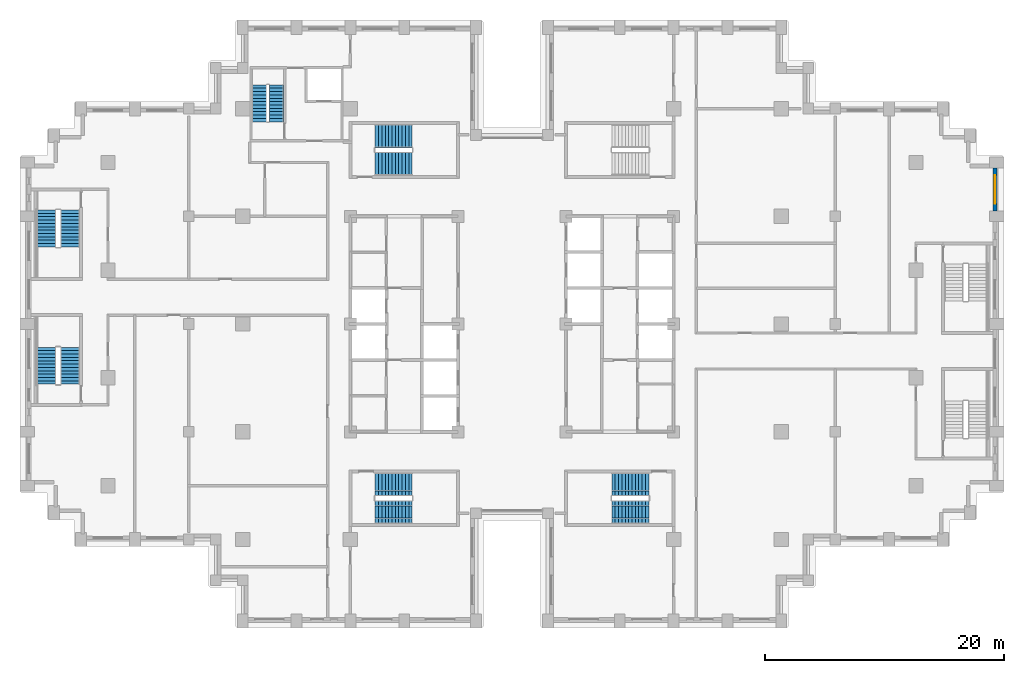
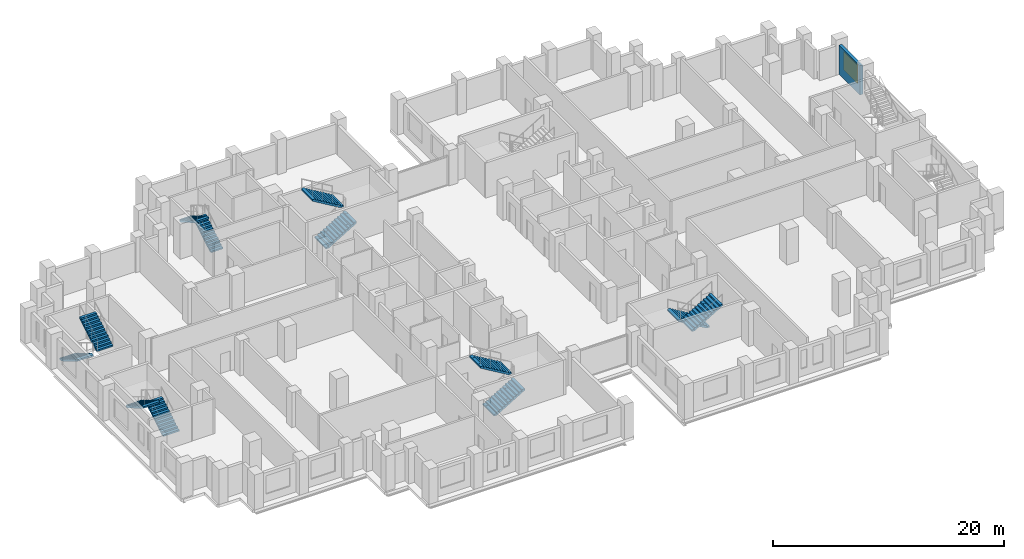
# One storey, part 12 of 15: 12 stair flights, 1 wall, 1 window, 1 opening, 6 elements without a shape of their own.
"""IFC4 building model written with IfcOpenShell, lengths in metres."""

import ifcopenshell
import ifcopenshell.guid

model = None  # the IFC model being written
_history = None  # IfcOwnerHistory: only IFC2X3 demands one
_inside = {}  # id of a spatial element -> (the spatial element, [elements in it])
_under = {}  # id of a project, library or spatial element -> (it, [spatial elements below it])
_declared = {}  # id of a project -> (the project, [libraries it declares])
_typed = {}  # id of a type object -> (the type object, [elements of that type])
_made_of = {}  # id of a material, layer set ... -> (it, [elements and type objects made of it])


def new_model(schema):
    """Start an empty IFC model of exactly this schema.

    Asked for "IFC4X3", IfcOpenShell would pick the latest addendum, in which some entities
    have other attributes; the version numbers below select the first issue.
    IFC2X3 requires an IfcOwnerHistory on every rooted entity: one is made here for all.
    """
    global model, _history
    if schema == "IFC4X3":
        model = ifcopenshell.file(schema_version=(4, 3, 0, 0))
    else:
        model = ifcopenshell.file(schema=schema)
    _inside.clear()
    _under.clear()
    _declared.clear()
    _typed.clear()
    _made_of.clear()
    _history = None
    if model.schema == "IFC2X3":
        org = make("IfcOrganization", Name="unknown")
        user = make(
            "IfcPersonAndOrganization",
            ThePerson=make("IfcPerson", FamilyName="unknown"),
            TheOrganization=org,
        )
        app = make(
            "IfcApplication",
            ApplicationDeveloper=org,
            Version="unknown",
            ApplicationFullName="unknown",
            ApplicationIdentifier="unknown",
        )
        _history = make(
            "IfcOwnerHistory",
            OwningUser=user,
            OwningApplication=app,
            ChangeAction="ADDED",
            CreationDate=0,
        )
    return model


def make(cls, **values):
    """One entity of the class cls with the attributes given. An attribute that is None is left unset."""
    return model.create_entity(
        cls, **{name: value for name, value in values.items() if value is not None}
    )


def rooted(cls, **values):
    """An entity with a GlobalId (a new one), such as an element, a storey or a relation."""
    return make(cls, GlobalId=ifcopenshell.guid.new(), OwnerHistory=_history, **values)


def si_unit(unit_type, name, prefix=None):
    """IfcSIUnit, for example si_unit("LENGTHUNIT", "METRE", prefix="MILLI")."""
    return make("IfcSIUnit", UnitType=unit_type, Prefix=prefix, Name=name)


def assignment(units):
    """IfcUnitAssignment: the units of a project."""
    return None if units is None else make("IfcUnitAssignment", Units=units)


def point(xyz):
    """IfcCartesianPoint."""
    return None if xyz is None else make("IfcCartesianPoint", Coordinates=xyz)


def direction(xyz):
    """IfcDirection."""
    return None if xyz is None else make("IfcDirection", DirectionRatios=xyz)


def frame(location, z_axis=None, x_axis=None):
    """IfcAxis2Placement3D, a coordinate frame: its origin and axes. An axis left out is left unset."""
    return make(
        "IfcAxis2Placement3D",
        Location=point(location),
        Axis=direction(z_axis),
        RefDirection=direction(x_axis),
    )


def frame_2d(location, x_axis=None):
    """IfcAxis2Placement2D, a coordinate frame in the plane: its origin and x axis."""
    return make(
        "IfcAxis2Placement2D", Location=point(location), RefDirection=direction(x_axis)
    )


def origin():
    """The frame at (0, 0, 0) with its axes left unset."""
    return frame((0.0, 0.0, 0.0))


def place(relative_to, where):
    """IfcLocalPlacement: puts the frame where relative to a parent placement (None: the world)."""
    return make(
        "IfcLocalPlacement", PlacementRelTo=relative_to, RelativePlacement=where
    )


def context(
    kind, dimensions, precision=None, world=None, true_north=None, identifier=None
):
    """IfcGeometricRepresentationContext, for example the 3D "Model" context."""
    return make(
        "IfcGeometricRepresentationContext",
        ContextIdentifier=identifier,
        ContextType=kind,
        CoordinateSpaceDimension=dimensions,
        Precision=precision,
        WorldCoordinateSystem=world,
        TrueNorth=true_north,
    )


def subcontext(parent, identifier, kind, view, scale=None):
    """IfcGeometricRepresentationSubContext, for example "Body" below "Model"."""
    return make(
        "IfcGeometricRepresentationSubContext",
        ContextIdentifier=identifier,
        ContextType=kind,
        ParentContext=parent,
        TargetScale=scale,
        TargetView=view,
    )


def project(units=None, contexts=None):
    """IfcProject with its units and contexts."""
    return rooted(
        "IfcProject",
        Name="project",
        RepresentationContexts=contexts,
        UnitsInContext=assignment(units),
    )


def spatial(cls, under=None, at=None, **own):
    """A site, building, storey or space (cls), placed at a placement, below another one or the project."""
    s = rooted(cls, ObjectPlacement=at, **own)
    if under is not None:
        _under.setdefault(under.id(), (under, []))[1].append(s)
    return s


def polyline(points):
    """IfcPolyline through the points."""
    return make("IfcPolyline", Points=[point(p) for p in points])


def profile(cls, at=None, kind="AREA", **sizes):
    """A parametric profile (cls). Its sizes go by their IFC names, for example OverallWidth=200.0."""
    return make(cls, ProfileType=kind, Position=at, **sizes)


def rectangle(**sizes):
    """IfcRectangleProfileDef."""
    return profile("IfcRectangleProfileDef", **sizes)


def outline(outer, holes=None, kind="AREA"):
    """IfcArbitraryClosedProfileDef: a profile drawn as a closed curve; with holes, ...WithVoids."""
    if holes is None:
        return make("IfcArbitraryClosedProfileDef", ProfileType=kind, OuterCurve=outer)
    return make(
        "IfcArbitraryProfileDefWithVoids",
        ProfileType=kind,
        OuterCurve=outer,
        InnerCurves=holes,
    )


def extrude(swept, where, along, depth):
    """IfcExtrudedAreaSolid: the profile swept, set in the frame where, extruded along a direction by depth."""
    return make(
        "IfcExtrudedAreaSolid",
        SweptArea=swept,
        Position=where,
        ExtrudedDirection=direction(along),
        Depth=depth,
    )


def shape(context_of_items, identifier, shape_type, items):
    """IfcShapeRepresentation: the items that make up one representation, for example the "Body"."""
    return make(
        "IfcShapeRepresentation",
        ContextOfItems=context_of_items,
        RepresentationIdentifier=identifier,
        RepresentationType=shape_type,
        Items=items,
    )


def material(Name=None, Category=None):
    """IfcMaterial."""
    return make("IfcMaterial", Name=Name, Category=Category)


def layer(
    of_material, thickness, ventilated=None, Name=None, Category=None, Priority=None
):
    """IfcMaterialLayer: one layer of a wall or slab, of a material (None: an air gap)."""
    return make(
        "IfcMaterialLayer",
        Material=of_material,
        LayerThickness=thickness,
        IsVentilated=ventilated,
        Name=Name,
        Category=Category,
        Priority=Priority,
    )


def layer_set(layers, Name=None):
    """IfcMaterialLayerSet."""
    return make("IfcMaterialLayerSet", MaterialLayers=layers, LayerSetName=Name)


def made_of(thing, what):
    """Note that an element or type object is made of a material, layer set ...; save() writes the relation."""
    if what is not None:
        _made_of.setdefault(what.id(), (what, []))[1].append(thing)
    return thing


def type_object(cls, material=None, **own):
    """A type object (cls), such as IfcWallType, which elements share."""
    return made_of(rooted(cls, **own), material)


def element(
    cls,
    number,
    at=None,
    inside=None,
    cuts=None,
    type_object=None,
    material=None,
    context=None,
    identifier="Body",
    shape_type=None,
    held_by="IfcProductDefinitionShape",
    body=None,
    shapes=None,
    **own,
):
    """One element of the class cls, such as IfcWall. Its Tag is "e" and its number.

    at: its placement. inside: the storey or other place that contains it. cuts: it is an
    opening in that element (IfcRelVoidsElement). A single representation is given by context,
    identifier, shape_type and body (its items); several are given by shapes. held_by: the class
    of the entity that holds the representations. save() writes the other relations.
    """
    e = rooted(cls, Tag="e%d" % number, ObjectPlacement=at, **own)
    if body is not None:
        shapes = [shape(context, identifier, shape_type, body)]
    if shapes is not None:
        e.Representation = make(held_by, Representations=shapes)
    if inside is not None:
        _inside.setdefault(inside.id(), (inside, []))[1].append(e)
    if cuts is not None:
        rooted(
            "IfcRelVoidsElement", RelatingBuildingElement=cuts, RelatedOpeningElement=e
        )
    if type_object is not None:
        _typed.setdefault(type_object.id(), (type_object, []))[1].append(e)
    return made_of(e, material)


def fill(opening, filler):
    """IfcRelFillsElement: the door or window that sits in an opening."""
    return rooted(
        "IfcRelFillsElement",
        RelatingOpeningElement=opening,
        RelatedBuildingElement=filler,
    )


def aggregate(whole, parts):
    """IfcRelAggregates: a whole, such as a stair, and the parts it consists of."""
    return rooted("IfcRelAggregates", RelatingObject=whole, RelatedObjects=parts)


def save(model, path):
    """Write the relations noted so far, then the file.

    IfcRelAggregates (storeys below a building ...), IfcRelContainedInSpatialStructure (elements
    in a storey), IfcRelDefinesByType, IfcRelAssociatesMaterial and IfcRelDeclares: one each for
    every whole, place, type object, material and project.
    """
    for whole, parts in _under.values():
        aggregate(whole, parts)
    for where, things in _inside.values():
        rooted(
            "IfcRelContainedInSpatialStructure",
            RelatedElements=things,
            RelatingStructure=where,
        )
    for kind, things in _typed.values():
        rooted("IfcRelDefinesByType", RelatedObjects=things, RelatingType=kind)
    for what, things in _made_of.values():
        rooted("IfcRelAssociatesMaterial", RelatedObjects=things, RelatingMaterial=what)
    for by, libraries in _declared.values():
        rooted("IfcRelDeclares", RelatingContext=by, RelatedDefinitions=libraries)
    model.write(path)


model = new_model("IFC4")

# Units and contexts
model_context = context("Model", 3, precision=1e-05, world=origin(), true_north=direction((0.0, 1.0)))
body_context = subcontext(model_context, "Body", "Model", "MODEL_VIEW")
ifc_project = project(units=[si_unit("LENGTHUNIT", "METRE"), si_unit("AREAUNIT", "SQUARE_METRE"), si_unit("VOLUMEUNIT", "CUBIC_METRE"), si_unit("PLANEANGLEUNIT", "RADIAN"), si_unit("MASSUNIT", "GRAM", prefix="KILO")], contexts=[model_context])

# Site, building, storey
site_placement = place(None, origin())
site = spatial("IfcSite", under=ifc_project, at=site_placement, CompositionType="ELEMENT")
building_placement = place(site_placement, origin())
building = spatial("IfcBuilding", under=site, at=building_placement, Name="Corbelhall Arena Tower", CompositionType="ELEMENT")
storey_placement = place(building_placement, frame((0.0, 0.0, 84.0)))
storey = spatial("IfcBuildingStorey", under=building, at=storey_placement, Name="L13", CompositionType="ELEMENT", Elevation=84.0)

# Wall, opening, window
ifc_material_1 = material(Name="Precast concrete C40/50 with granite facing", Category="masonry")
ifc_layer = layer(ifc_material_1, 0.300048828125)
ifc_layer_set = layer_set([ifc_layer], Name="EV-IW1 Infill panel 300")
wall_type = type_object("IfcWallType", Name="EV-IW1 Infill panel 300", PredefinedType="SOLIDWALL", material=ifc_layer_set)
wall_placement = place(storey_placement, frame((40.35009765625, 9.449951171875, 0.0), z_axis=(0.0, 0.0, 1.0), x_axis=(0.0, 1.0, 0.0)))
wall = element("IfcWall", 1, at=wall_placement, inside=storey, type_object=wall_type, Name="Infill panel IW1", PredefinedType="SOLIDWALL", context=body_context, shape_type="SweptSolid", body=[
    extrude(rectangle(XDim=3.60009765625, YDim=0.300048828125, at=frame_2d((1.800048828125, 0.0))), origin(), (0.0, 0.0, 1.0), 3.10009765625),
])
opening_placement = place(wall_placement, frame((0.60009765625, 0.0, 0.800048828125)))
opening = element("IfcOpeningElement", 2, at=opening_placement, cuts=wall, Name="Opening WN1", PredefinedType="OPENING", context=body_context, shape_type="SweptSolid", body=[
    extrude(rectangle(XDim=2.39990234375, YDim=1.949951171875, at=frame_2d((1.199951171875, 0.97509765625))), frame((0.0, 0.14990234375, 0.0), z_axis=(0.0, -1.0, 0.0), x_axis=(1.0, 0.0, 0.0)), (0.0, 0.0, 1.0), 0.300048828125),
])
ifc_material_2 = material(Name="Aluminium black anodised", Category="aluminium")
window_type = type_object("IfcWindowType", Name="EV-WN1 Office window", PartitioningType="SINGLE_PANEL", PredefinedType="WINDOW", material=ifc_material_2)
window_placement = place(opening_placement, origin())
window = element("IfcWindow", 3, at=window_placement, inside=storey, type_object=window_type, Name="Window WN1", OverallHeight=1.949951171875, OverallWidth=2.39990234375, PartitioningType="SINGLE_PANEL", PredefinedType="WINDOW", context=body_context, shape_type="SweptSolid", body=[
    extrude(rectangle(XDim=2.39990234375, YDim=1.949951171875, at=frame_2d((1.199951171875, 0.97509765625))), frame((0.0, 0.030029296875, 0.0), z_axis=(0.0, -1.0, 0.0), x_axis=(1.0, 0.0, 0.0)), (0.0, 0.0, 1.0), 0.06005859375),
])
fill(opening, window)

# Stair, stair flights
ifc_material_3 = material(Name="Concrete C40/50", Category="concrete")
stair_type = type_object("IfcStairType", Name="IN-ST-TOWER", PredefinedType="HALF_TURN_STAIR", material=ifc_material_3)
stair_1_placement = place(storey_placement, origin())
stair_1 = element("IfcStair", 4, at=stair_1_placement, inside=storey, type_object=stair_type, Name="L13 Exit stair ST1", PredefinedType="HALF_TURN_STAIR")
stair_flight_type = type_object("IfcStairFlightType", Name="IN-SFL-RC", PredefinedType="STRAIGHT", material=ifc_material_3)
stair_flight_1_placement = place(storey_placement, frame((-11.425048828125, 13.39990234375, 0.0), z_axis=(0.0, 0.0, 1.0), x_axis=(1.0, 0.0, 0.0)))
stair_flight_1 = element("IfcStairFlight", 5, at=stair_flight_1_placement, type_object=stair_flight_type, Name="ST1 flight 1", NumberOfRisers=12, NumberOfTreads=11, PredefinedType="STRAIGHT", RiserHeight=0.166666667, TreadLength=0.28, context=body_context, shape_type="SweptSolid", body=[
    extrude(outline(polyline([(0.0, 0.0), (0.0, 0.166748046875), (0.280029296875, 0.166748046875), (0.280029296875, 0.333251953125), (0.56005859375, 0.333251953125), (0.56005859375, 0.5), (0.840087890625, 0.5), (0.840087890625, 0.666748046875), (1.1201171875, 0.666748046875), (1.1201171875, 0.833251953125), (1.39990234375, 0.833251953125), (1.39990234375, 1.0), (1.679931640625, 1.0), (1.679931640625, 1.166748046875), (1.9599609375, 1.166748046875), (1.9599609375, 1.333251953125), (2.239990234375, 1.333251953125), (2.239990234375, 1.5), (2.52001953125, 1.5), (2.52001953125, 1.666748046875), (2.800048828125, 1.666748046875), (2.800048828125, 1.833251953125), (3.080078125, 1.833251953125), (3.080078125, 2.0), (3.080078125, 1.658935546875), (0.29296875, 0.0), (0.0, 0.0)])), frame((0.0, 0.97509765625, 0.0), z_axis=(0.0, -1.0, 0.0), x_axis=(1.0, 0.0, 0.0)), (0.0, 0.0, 1.0), 0.449951171875),
    extrude(outline(polyline([(0.0, 0.0), (0.0, 0.166748046875), (0.280029296875, 0.166748046875), (0.280029296875, 0.333251953125), (0.56005859375, 0.333251953125), (0.56005859375, 0.5), (0.840087890625, 0.5), (0.840087890625, 0.666748046875), (1.1201171875, 0.666748046875), (1.1201171875, 0.833251953125), (1.39990234375, 0.833251953125), (1.39990234375, 1.0), (1.679931640625, 1.0), (1.679931640625, 1.166748046875), (1.9599609375, 1.166748046875), (1.9599609375, 1.333251953125), (2.239990234375, 1.333251953125), (2.239990234375, 1.5), (2.52001953125, 1.5), (2.52001953125, 1.666748046875), (2.800048828125, 1.666748046875), (2.800048828125, 1.833251953125), (3.080078125, 1.833251953125), (3.080078125, 2.0), (3.080078125, 1.658935546875), (0.29296875, 0.0), (0.0, 0.0)])), frame((0.0, 0.52099609375, 0.0), z_axis=(0.0, -1.0, 0.0), x_axis=(1.0, 0.0, 0.0)), (0.0, 0.0, 1.0), 1.0419921875),
    extrude(outline(polyline([(0.0, 0.0), (0.0, 0.166748046875), (0.280029296875, 0.166748046875), (0.280029296875, 0.333251953125), (0.56005859375, 0.333251953125), (0.56005859375, 0.5), (0.840087890625, 0.5), (0.840087890625, 0.666748046875), (1.1201171875, 0.666748046875), (1.1201171875, 0.833251953125), (1.39990234375, 0.833251953125), (1.39990234375, 1.0), (1.679931640625, 1.0), (1.679931640625, 1.166748046875), (1.9599609375, 1.166748046875), (1.9599609375, 1.333251953125), (2.239990234375, 1.333251953125), (2.239990234375, 1.5), (2.52001953125, 1.5), (2.52001953125, 1.666748046875), (2.800048828125, 1.666748046875), (2.800048828125, 1.833251953125), (3.080078125, 1.833251953125), (3.080078125, 2.0), (3.080078125, 1.658935546875), (0.29296875, 0.0), (0.0, 0.0)])), frame((0.0, -0.52490234375, 0.0), z_axis=(0.0, -1.0, 0.0), x_axis=(1.0, 0.0, 0.0)), (0.0, 0.0, 1.0), 0.449951171875),
])
stair_flight_2_placement = place(storey_placement, frame((-8.344970703125, 15.699951171875, 2.0), z_axis=(0.0, 0.0, 1.0), x_axis=(-1.0, 0.0, 0.0)))
stair_flight_2 = element("IfcStairFlight", 6, at=stair_flight_2_placement, type_object=stair_flight_type, Name="ST1 flight 2", NumberOfRisers=12, NumberOfTreads=11, PredefinedType="STRAIGHT", RiserHeight=0.166666667, TreadLength=0.28, context=body_context, shape_type="SweptSolid", body=[
    extrude(outline(polyline([(0.0, 0.0), (0.0, 0.166748046875), (0.280029296875, 0.166748046875), (0.280029296875, 0.333251953125), (0.56005859375, 0.333251953125), (0.56005859375, 0.5), (0.840087890625, 0.5), (0.840087890625, 0.666748046875), (1.1201171875, 0.666748046875), (1.1201171875, 0.833251953125), (1.39990234375, 0.833251953125), (1.39990234375, 1.0), (1.679931640625, 1.0), (1.679931640625, 1.166748046875), (1.9599609375, 1.166748046875), (1.9599609375, 1.333251953125), (2.239990234375, 1.333251953125), (2.239990234375, 1.5), (2.52001953125, 1.5), (2.52001953125, 1.666748046875), (2.800048828125, 1.666748046875), (2.800048828125, 1.833251953125), (3.080078125, 1.833251953125), (3.080078125, 2.0), (3.080078125, 1.658935546875), (0.29296875, 0.0), (0.0, 0.0)])), frame((0.0, 0.97509765625, 0.0), z_axis=(0.0, -1.0, 0.0), x_axis=(1.0, 0.0, 0.0)), (0.0, 0.0, 1.0), 0.449951171875),
    extrude(outline(polyline([(0.0, 0.0), (0.0, 0.166748046875), (0.280029296875, 0.166748046875), (0.280029296875, 0.333251953125), (0.56005859375, 0.333251953125), (0.56005859375, 0.5), (0.840087890625, 0.5), (0.840087890625, 0.666748046875), (1.1201171875, 0.666748046875), (1.1201171875, 0.833251953125), (1.39990234375, 0.833251953125), (1.39990234375, 1.0), (1.679931640625, 1.0), (1.679931640625, 1.166748046875), (1.9599609375, 1.166748046875), (1.9599609375, 1.333251953125), (2.239990234375, 1.333251953125), (2.239990234375, 1.5), (2.52001953125, 1.5), (2.52001953125, 1.666748046875), (2.800048828125, 1.666748046875), (2.800048828125, 1.833251953125), (3.080078125, 1.833251953125), (3.080078125, 2.0), (3.080078125, 1.658935546875), (0.29296875, 0.0), (0.0, 0.0)])), frame((0.0, 0.52099609375, 0.0), z_axis=(0.0, -1.0, 0.0), x_axis=(1.0, 0.0, 0.0)), (0.0, 0.0, 1.0), 1.0419921875),
    extrude(outline(polyline([(0.0, 0.0), (0.0, 0.166748046875), (0.280029296875, 0.166748046875), (0.280029296875, 0.333251953125), (0.56005859375, 0.333251953125), (0.56005859375, 0.5), (0.840087890625, 0.5), (0.840087890625, 0.666748046875), (1.1201171875, 0.666748046875), (1.1201171875, 0.833251953125), (1.39990234375, 0.833251953125), (1.39990234375, 1.0), (1.679931640625, 1.0), (1.679931640625, 1.166748046875), (1.9599609375, 1.166748046875), (1.9599609375, 1.333251953125), (2.239990234375, 1.333251953125), (2.239990234375, 1.5), (2.52001953125, 1.5), (2.52001953125, 1.666748046875), (2.800048828125, 1.666748046875), (2.800048828125, 1.833251953125), (3.080078125, 1.833251953125), (3.080078125, 2.0), (3.080078125, 1.658935546875), (0.29296875, 0.0), (0.0, 0.0)])), frame((0.0, -0.52490234375, 0.0), z_axis=(0.0, -1.0, 0.0), x_axis=(1.0, 0.0, 0.0)), (0.0, 0.0, 1.0), 0.449951171875),
])
aggregate(stair_1, [stair_flight_1, stair_flight_2])

stair_2_placement = place(storey_placement, origin())
stair_2 = element("IfcStair", 7, at=stair_2_placement, inside=storey, type_object=stair_type, Name="L13 Exit stair ST2", PredefinedType="HALF_TURN_STAIR")
stair_flight_3_placement = place(storey_placement, frame((-11.425048828125, -15.699951171875, 0.0), z_axis=(0.0, 0.0, 1.0), x_axis=(1.0, 0.0, 0.0)))
stair_flight_3 = element("IfcStairFlight", 8, at=stair_flight_3_placement, type_object=stair_flight_type, Name="ST2 flight 1", NumberOfRisers=12, NumberOfTreads=11, PredefinedType="STRAIGHT", RiserHeight=0.166666667, TreadLength=0.28, context=body_context, shape_type="SweptSolid", body=[
    extrude(outline(polyline([(0.0, 0.0), (0.0, 0.166748046875), (0.280029296875, 0.166748046875), (0.280029296875, 0.333251953125), (0.56005859375, 0.333251953125), (0.56005859375, 0.5), (0.840087890625, 0.5), (0.840087890625, 0.666748046875), (1.1201171875, 0.666748046875), (1.1201171875, 0.833251953125), (1.39990234375, 0.833251953125), (1.39990234375, 1.0), (1.679931640625, 1.0), (1.679931640625, 1.166748046875), (1.9599609375, 1.166748046875), (1.9599609375, 1.333251953125), (2.239990234375, 1.333251953125), (2.239990234375, 1.5), (2.52001953125, 1.5), (2.52001953125, 1.666748046875), (2.800048828125, 1.666748046875), (2.800048828125, 1.833251953125), (3.080078125, 1.833251953125), (3.080078125, 2.0), (3.080078125, 1.658935546875), (0.29296875, 0.0), (0.0, 0.0)])), frame((0.0, 0.97509765625, 0.0), z_axis=(0.0, -1.0, 0.0), x_axis=(1.0, 0.0, 0.0)), (0.0, 0.0, 1.0), 0.449951171875),
    extrude(outline(polyline([(0.0, 0.0), (0.0, 0.166748046875), (0.280029296875, 0.166748046875), (0.280029296875, 0.333251953125), (0.56005859375, 0.333251953125), (0.56005859375, 0.5), (0.840087890625, 0.5), (0.840087890625, 0.666748046875), (1.1201171875, 0.666748046875), (1.1201171875, 0.833251953125), (1.39990234375, 0.833251953125), (1.39990234375, 1.0), (1.679931640625, 1.0), (1.679931640625, 1.166748046875), (1.9599609375, 1.166748046875), (1.9599609375, 1.333251953125), (2.239990234375, 1.333251953125), (2.239990234375, 1.5), (2.52001953125, 1.5), (2.52001953125, 1.666748046875), (2.800048828125, 1.666748046875), (2.800048828125, 1.833251953125), (3.080078125, 1.833251953125), (3.080078125, 2.0), (3.080078125, 1.658935546875), (0.29296875, 0.0), (0.0, 0.0)])), frame((0.0, 0.52099609375, 0.0), z_axis=(0.0, -1.0, 0.0), x_axis=(1.0, 0.0, 0.0)), (0.0, 0.0, 1.0), 1.0419921875),
    extrude(outline(polyline([(0.0, 0.0), (0.0, 0.166748046875), (0.280029296875, 0.166748046875), (0.280029296875, 0.333251953125), (0.56005859375, 0.333251953125), (0.56005859375, 0.5), (0.840087890625, 0.5), (0.840087890625, 0.666748046875), (1.1201171875, 0.666748046875), (1.1201171875, 0.833251953125), (1.39990234375, 0.833251953125), (1.39990234375, 1.0), (1.679931640625, 1.0), (1.679931640625, 1.166748046875), (1.9599609375, 1.166748046875), (1.9599609375, 1.333251953125), (2.239990234375, 1.333251953125), (2.239990234375, 1.5), (2.52001953125, 1.5), (2.52001953125, 1.666748046875), (2.800048828125, 1.666748046875), (2.800048828125, 1.833251953125), (3.080078125, 1.833251953125), (3.080078125, 2.0), (3.080078125, 1.658935546875), (0.29296875, 0.0), (0.0, 0.0)])), frame((0.0, -0.52490234375, 0.0), z_axis=(0.0, -1.0, 0.0), x_axis=(1.0, 0.0, 0.0)), (0.0, 0.0, 1.0), 0.449951171875),
])
stair_flight_4_placement = place(storey_placement, frame((-8.344970703125, -13.39990234375, 2.0), z_axis=(0.0, 0.0, 1.0), x_axis=(-1.0, 0.0, 0.0)))
stair_flight_4 = element("IfcStairFlight", 9, at=stair_flight_4_placement, type_object=stair_flight_type, Name="ST2 flight 2", NumberOfRisers=12, NumberOfTreads=11, PredefinedType="STRAIGHT", RiserHeight=0.166666667, TreadLength=0.28, context=body_context, shape_type="SweptSolid", body=[
    extrude(outline(polyline([(0.0, 0.0), (0.0, 0.166748046875), (0.280029296875, 0.166748046875), (0.280029296875, 0.333251953125), (0.56005859375, 0.333251953125), (0.56005859375, 0.5), (0.840087890625, 0.5), (0.840087890625, 0.666748046875), (1.1201171875, 0.666748046875), (1.1201171875, 0.833251953125), (1.39990234375, 0.833251953125), (1.39990234375, 1.0), (1.679931640625, 1.0), (1.679931640625, 1.166748046875), (1.9599609375, 1.166748046875), (1.9599609375, 1.333251953125), (2.239990234375, 1.333251953125), (2.239990234375, 1.5), (2.52001953125, 1.5), (2.52001953125, 1.666748046875), (2.800048828125, 1.666748046875), (2.800048828125, 1.833251953125), (3.080078125, 1.833251953125), (3.080078125, 2.0), (3.080078125, 1.658935546875), (0.29296875, 0.0), (0.0, 0.0)])), frame((0.0, 0.97509765625, 0.0), z_axis=(0.0, -1.0, 0.0), x_axis=(1.0, 0.0, 0.0)), (0.0, 0.0, 1.0), 0.449951171875),
    extrude(outline(polyline([(0.0, 0.0), (0.0, 0.166748046875), (0.280029296875, 0.166748046875), (0.280029296875, 0.333251953125), (0.56005859375, 0.333251953125), (0.56005859375, 0.5), (0.840087890625, 0.5), (0.840087890625, 0.666748046875), (1.1201171875, 0.666748046875), (1.1201171875, 0.833251953125), (1.39990234375, 0.833251953125), (1.39990234375, 1.0), (1.679931640625, 1.0), (1.679931640625, 1.166748046875), (1.9599609375, 1.166748046875), (1.9599609375, 1.333251953125), (2.239990234375, 1.333251953125), (2.239990234375, 1.5), (2.52001953125, 1.5), (2.52001953125, 1.666748046875), (2.800048828125, 1.666748046875), (2.800048828125, 1.833251953125), (3.080078125, 1.833251953125), (3.080078125, 2.0), (3.080078125, 1.658935546875), (0.29296875, 0.0), (0.0, 0.0)])), frame((0.0, 0.52099609375, 0.0), z_axis=(0.0, -1.0, 0.0), x_axis=(1.0, 0.0, 0.0)), (0.0, 0.0, 1.0), 1.0419921875),
    extrude(outline(polyline([(0.0, 0.0), (0.0, 0.166748046875), (0.280029296875, 0.166748046875), (0.280029296875, 0.333251953125), (0.56005859375, 0.333251953125), (0.56005859375, 0.5), (0.840087890625, 0.5), (0.840087890625, 0.666748046875), (1.1201171875, 0.666748046875), (1.1201171875, 0.833251953125), (1.39990234375, 0.833251953125), (1.39990234375, 1.0), (1.679931640625, 1.0), (1.679931640625, 1.166748046875), (1.9599609375, 1.166748046875), (1.9599609375, 1.333251953125), (2.239990234375, 1.333251953125), (2.239990234375, 1.5), (2.52001953125, 1.5), (2.52001953125, 1.666748046875), (2.800048828125, 1.666748046875), (2.800048828125, 1.833251953125), (3.080078125, 1.833251953125), (3.080078125, 2.0), (3.080078125, 1.658935546875), (0.29296875, 0.0), (0.0, 0.0)])), frame((0.0, -0.52490234375, 0.0), z_axis=(0.0, -1.0, 0.0), x_axis=(1.0, 0.0, 0.0)), (0.0, 0.0, 1.0), 0.449951171875),
])
aggregate(stair_2, [stair_flight_3, stair_flight_4])

stair_3_placement = place(storey_placement, origin())
stair_3 = element("IfcStair", 10, at=stair_3_placement, inside=storey, type_object=stair_type, Name="L13 Exit stair ST4", PredefinedType="HALF_TURN_STAIR")
stair_flight_5_placement = place(storey_placement, frame((11.425048828125, -13.39990234375, 0.0), z_axis=(0.0, 0.0, 1.0), x_axis=(-1.0, 0.0, 0.0)))
stair_flight_5 = element("IfcStairFlight", 11, at=stair_flight_5_placement, type_object=stair_flight_type, Name="ST4 flight 1", NumberOfRisers=12, NumberOfTreads=11, PredefinedType="STRAIGHT", RiserHeight=0.166666667, TreadLength=0.28, context=body_context, shape_type="SweptSolid", body=[
    extrude(outline(polyline([(0.0, 0.0), (0.0, 0.166748046875), (0.280029296875, 0.166748046875), (0.280029296875, 0.333251953125), (0.56005859375, 0.333251953125), (0.56005859375, 0.5), (0.840087890625, 0.5), (0.840087890625, 0.666748046875), (1.1201171875, 0.666748046875), (1.1201171875, 0.833251953125), (1.39990234375, 0.833251953125), (1.39990234375, 1.0), (1.679931640625, 1.0), (1.679931640625, 1.166748046875), (1.9599609375, 1.166748046875), (1.9599609375, 1.333251953125), (2.239990234375, 1.333251953125), (2.239990234375, 1.5), (2.52001953125, 1.5), (2.52001953125, 1.666748046875), (2.800048828125, 1.666748046875), (2.800048828125, 1.833251953125), (3.080078125, 1.833251953125), (3.080078125, 2.0), (3.080078125, 1.658935546875), (0.29296875, 0.0), (0.0, 0.0)])), frame((0.0, 0.97509765625, 0.0), z_axis=(0.0, -1.0, 0.0), x_axis=(1.0, 0.0, 0.0)), (0.0, 0.0, 1.0), 0.449951171875),
    extrude(outline(polyline([(0.0, 0.0), (0.0, 0.166748046875), (0.280029296875, 0.166748046875), (0.280029296875, 0.333251953125), (0.56005859375, 0.333251953125), (0.56005859375, 0.5), (0.840087890625, 0.5), (0.840087890625, 0.666748046875), (1.1201171875, 0.666748046875), (1.1201171875, 0.833251953125), (1.39990234375, 0.833251953125), (1.39990234375, 1.0), (1.679931640625, 1.0), (1.679931640625, 1.166748046875), (1.9599609375, 1.166748046875), (1.9599609375, 1.333251953125), (2.239990234375, 1.333251953125), (2.239990234375, 1.5), (2.52001953125, 1.5), (2.52001953125, 1.666748046875), (2.800048828125, 1.666748046875), (2.800048828125, 1.833251953125), (3.080078125, 1.833251953125), (3.080078125, 2.0), (3.080078125, 1.658935546875), (0.29296875, 0.0), (0.0, 0.0)])), frame((0.0, 0.52099609375, 0.0), z_axis=(0.0, -1.0, 0.0), x_axis=(1.0, 0.0, 0.0)), (0.0, 0.0, 1.0), 1.0419921875),
    extrude(outline(polyline([(0.0, 0.0), (0.0, 0.166748046875), (0.280029296875, 0.166748046875), (0.280029296875, 0.333251953125), (0.56005859375, 0.333251953125), (0.56005859375, 0.5), (0.840087890625, 0.5), (0.840087890625, 0.666748046875), (1.1201171875, 0.666748046875), (1.1201171875, 0.833251953125), (1.39990234375, 0.833251953125), (1.39990234375, 1.0), (1.679931640625, 1.0), (1.679931640625, 1.166748046875), (1.9599609375, 1.166748046875), (1.9599609375, 1.333251953125), (2.239990234375, 1.333251953125), (2.239990234375, 1.5), (2.52001953125, 1.5), (2.52001953125, 1.666748046875), (2.800048828125, 1.666748046875), (2.800048828125, 1.833251953125), (3.080078125, 1.833251953125), (3.080078125, 2.0), (3.080078125, 1.658935546875), (0.29296875, 0.0), (0.0, 0.0)])), frame((0.0, -0.52490234375, 0.0), z_axis=(0.0, -1.0, 0.0), x_axis=(1.0, 0.0, 0.0)), (0.0, 0.0, 1.0), 0.449951171875),
])
stair_flight_6_placement = place(storey_placement, frame((8.344970703125, -15.699951171875, 2.0), z_axis=(0.0, 0.0, 1.0), x_axis=(1.0, 0.0, 0.0)))
stair_flight_6 = element("IfcStairFlight", 12, at=stair_flight_6_placement, type_object=stair_flight_type, Name="ST4 flight 2", NumberOfRisers=12, NumberOfTreads=11, PredefinedType="STRAIGHT", RiserHeight=0.166666667, TreadLength=0.28, context=body_context, shape_type="SweptSolid", body=[
    extrude(outline(polyline([(0.0, 0.0), (0.0, 0.166748046875), (0.280029296875, 0.166748046875), (0.280029296875, 0.333251953125), (0.56005859375, 0.333251953125), (0.56005859375, 0.5), (0.840087890625, 0.5), (0.840087890625, 0.666748046875), (1.1201171875, 0.666748046875), (1.1201171875, 0.833251953125), (1.39990234375, 0.833251953125), (1.39990234375, 1.0), (1.679931640625, 1.0), (1.679931640625, 1.166748046875), (1.9599609375, 1.166748046875), (1.9599609375, 1.333251953125), (2.239990234375, 1.333251953125), (2.239990234375, 1.5), (2.52001953125, 1.5), (2.52001953125, 1.666748046875), (2.800048828125, 1.666748046875), (2.800048828125, 1.833251953125), (3.080078125, 1.833251953125), (3.080078125, 2.0), (3.080078125, 1.658935546875), (0.29296875, 0.0), (0.0, 0.0)])), frame((0.0, 0.97509765625, 0.0), z_axis=(0.0, -1.0, 0.0), x_axis=(1.0, 0.0, 0.0)), (0.0, 0.0, 1.0), 0.449951171875),
    extrude(outline(polyline([(0.0, 0.0), (0.0, 0.166748046875), (0.280029296875, 0.166748046875), (0.280029296875, 0.333251953125), (0.56005859375, 0.333251953125), (0.56005859375, 0.5), (0.840087890625, 0.5), (0.840087890625, 0.666748046875), (1.1201171875, 0.666748046875), (1.1201171875, 0.833251953125), (1.39990234375, 0.833251953125), (1.39990234375, 1.0), (1.679931640625, 1.0), (1.679931640625, 1.166748046875), (1.9599609375, 1.166748046875), (1.9599609375, 1.333251953125), (2.239990234375, 1.333251953125), (2.239990234375, 1.5), (2.52001953125, 1.5), (2.52001953125, 1.666748046875), (2.800048828125, 1.666748046875), (2.800048828125, 1.833251953125), (3.080078125, 1.833251953125), (3.080078125, 2.0), (3.080078125, 1.658935546875), (0.29296875, 0.0), (0.0, 0.0)])), frame((0.0, 0.52099609375, 0.0), z_axis=(0.0, -1.0, 0.0), x_axis=(1.0, 0.0, 0.0)), (0.0, 0.0, 1.0), 1.0419921875),
    extrude(outline(polyline([(0.0, 0.0), (0.0, 0.166748046875), (0.280029296875, 0.166748046875), (0.280029296875, 0.333251953125), (0.56005859375, 0.333251953125), (0.56005859375, 0.5), (0.840087890625, 0.5), (0.840087890625, 0.666748046875), (1.1201171875, 0.666748046875), (1.1201171875, 0.833251953125), (1.39990234375, 0.833251953125), (1.39990234375, 1.0), (1.679931640625, 1.0), (1.679931640625, 1.166748046875), (1.9599609375, 1.166748046875), (1.9599609375, 1.333251953125), (2.239990234375, 1.333251953125), (2.239990234375, 1.5), (2.52001953125, 1.5), (2.52001953125, 1.666748046875), (2.800048828125, 1.666748046875), (2.800048828125, 1.833251953125), (3.080078125, 1.833251953125), (3.080078125, 2.0), (3.080078125, 1.658935546875), (0.29296875, 0.0), (0.0, 0.0)])), frame((0.0, -0.52490234375, 0.0), z_axis=(0.0, -1.0, 0.0), x_axis=(1.0, 0.0, 0.0)), (0.0, 0.0, 1.0), 0.449951171875),
])
aggregate(stair_3, [stair_flight_5, stair_flight_6])

stair_4_placement = place(storey_placement, origin())
stair_4 = element("IfcStair", 13, at=stair_4_placement, inside=storey, type_object=stair_type, Name="L13 Exit stair SC1", PredefinedType="HALF_TURN_STAIR")
stair_flight_7_placement = place(storey_placement, frame((-38.89990234375, 9.52490234375, 0.0), z_axis=(0.0, 0.0, 1.0), x_axis=(0.0, -1.0, 0.0)))
stair_flight_7 = element("IfcStairFlight", 14, at=stair_flight_7_placement, type_object=stair_flight_type, Name="SC1 flight 1", NumberOfRisers=12, NumberOfTreads=11, PredefinedType="STRAIGHT", RiserHeight=0.166666667, TreadLength=0.28, context=body_context, shape_type="SweptSolid", body=[
    extrude(outline(polyline([(0.0, 0.0), (0.0, 0.166748046875), (0.280029296875, 0.166748046875), (0.280029296875, 0.333251953125), (0.56005859375, 0.333251953125), (0.56005859375, 0.5), (0.840087890625, 0.5), (0.840087890625, 0.666748046875), (1.1201171875, 0.666748046875), (1.1201171875, 0.833251953125), (1.39990234375, 0.833251953125), (1.39990234375, 1.0), (1.679931640625, 1.0), (1.679931640625, 1.166748046875), (1.9599609375, 1.166748046875), (1.9599609375, 1.333251953125), (2.239990234375, 1.333251953125), (2.239990234375, 1.5), (2.52001953125, 1.5), (2.52001953125, 1.666748046875), (2.800048828125, 1.666748046875), (2.800048828125, 1.833251953125), (3.080078125, 1.833251953125), (3.080078125, 2.0), (3.080078125, 1.658935546875), (0.29296875, 0.0), (0.0, 0.0)])), frame((0.0, 0.800048828125, 0.0), z_axis=(0.0, -1.0, 0.0), x_axis=(1.0, 0.0, 0.0)), (0.0, 0.0, 1.0), 1.60009765625),
])
stair_flight_8_placement = place(storey_placement, frame((-36.925048828125, 6.445068359375, 2.0), z_axis=(0.0, 0.0, 1.0), x_axis=(0.0, 1.0, 0.0)))
stair_flight_8 = element("IfcStairFlight", 15, at=stair_flight_8_placement, type_object=stair_flight_type, Name="SC1 flight 2", NumberOfRisers=12, NumberOfTreads=11, PredefinedType="STRAIGHT", RiserHeight=0.166666667, TreadLength=0.28, context=body_context, shape_type="SweptSolid", body=[
    extrude(outline(polyline([(0.0, 0.0), (0.0, 0.166748046875), (0.280029296875, 0.166748046875), (0.280029296875, 0.333251953125), (0.56005859375, 0.333251953125), (0.56005859375, 0.5), (0.840087890625, 0.5), (0.840087890625, 0.666748046875), (1.1201171875, 0.666748046875), (1.1201171875, 0.833251953125), (1.39990234375, 0.833251953125), (1.39990234375, 1.0), (1.679931640625, 1.0), (1.679931640625, 1.166748046875), (1.9599609375, 1.166748046875), (1.9599609375, 1.333251953125), (2.239990234375, 1.333251953125), (2.239990234375, 1.5), (2.52001953125, 1.5), (2.52001953125, 1.666748046875), (2.800048828125, 1.666748046875), (2.800048828125, 1.833251953125), (3.080078125, 1.833251953125), (3.080078125, 2.0), (3.080078125, 1.658935546875), (0.29296875, 0.0), (0.0, 0.0)])), frame((0.0, 0.800048828125, 0.0), z_axis=(0.0, -1.0, 0.0), x_axis=(1.0, 0.0, 0.0)), (0.0, 0.0, 1.0), 1.60009765625),
])
aggregate(stair_4, [stair_flight_7, stair_flight_8])

stair_5_placement = place(storey_placement, origin())
stair_5 = element("IfcStair", 16, at=stair_5_placement, inside=storey, type_object=stair_type, Name="L13 Exit stair SC2", PredefinedType="HALF_TURN_STAIR")
stair_flight_9_placement = place(storey_placement, frame((-36.925048828125, -5.02490234375, 0.0), z_axis=(0.0, 0.0, 1.0), x_axis=(0.0, 1.0, 0.0)))
stair_flight_9 = element("IfcStairFlight", 17, at=stair_flight_9_placement, type_object=stair_flight_type, Name="SC2 flight 1", NumberOfRisers=12, NumberOfTreads=11, PredefinedType="STRAIGHT", RiserHeight=0.166666667, TreadLength=0.28, context=body_context, shape_type="SweptSolid", body=[
    extrude(outline(polyline([(0.0, 0.0), (0.0, 0.166748046875), (0.280029296875, 0.166748046875), (0.280029296875, 0.333251953125), (0.56005859375, 0.333251953125), (0.56005859375, 0.5), (0.840087890625, 0.5), (0.840087890625, 0.666748046875), (1.1201171875, 0.666748046875), (1.1201171875, 0.833251953125), (1.39990234375, 0.833251953125), (1.39990234375, 1.0), (1.679931640625, 1.0), (1.679931640625, 1.166748046875), (1.9599609375, 1.166748046875), (1.9599609375, 1.333251953125), (2.239990234375, 1.333251953125), (2.239990234375, 1.5), (2.52001953125, 1.5), (2.52001953125, 1.666748046875), (2.800048828125, 1.666748046875), (2.800048828125, 1.833251953125), (3.080078125, 1.833251953125), (3.080078125, 2.0), (3.080078125, 1.658935546875), (0.29296875, 0.0), (0.0, 0.0)])), frame((0.0, 0.800048828125, 0.0), z_axis=(0.0, -1.0, 0.0), x_axis=(1.0, 0.0, 0.0)), (0.0, 0.0, 1.0), 1.60009765625),
])
stair_flight_10_placement = place(storey_placement, frame((-38.89990234375, -1.945068359375, 2.0), z_axis=(0.0, 0.0, 1.0), x_axis=(0.0, -1.0, 0.0)))
stair_flight_10 = element("IfcStairFlight", 18, at=stair_flight_10_placement, type_object=stair_flight_type, Name="SC2 flight 2", NumberOfRisers=12, NumberOfTreads=11, PredefinedType="STRAIGHT", RiserHeight=0.166666667, TreadLength=0.28, context=body_context, shape_type="SweptSolid", body=[
    extrude(outline(polyline([(0.0, 0.0), (0.0, 0.166748046875), (0.280029296875, 0.166748046875), (0.280029296875, 0.333251953125), (0.56005859375, 0.333251953125), (0.56005859375, 0.5), (0.840087890625, 0.5), (0.840087890625, 0.666748046875), (1.1201171875, 0.666748046875), (1.1201171875, 0.833251953125), (1.39990234375, 0.833251953125), (1.39990234375, 1.0), (1.679931640625, 1.0), (1.679931640625, 1.166748046875), (1.9599609375, 1.166748046875), (1.9599609375, 1.333251953125), (2.239990234375, 1.333251953125), (2.239990234375, 1.5), (2.52001953125, 1.5), (2.52001953125, 1.666748046875), (2.800048828125, 1.666748046875), (2.800048828125, 1.833251953125), (3.080078125, 1.833251953125), (3.080078125, 2.0), (3.080078125, 1.658935546875), (0.29296875, 0.0), (0.0, 0.0)])), frame((0.0, 0.800048828125, 0.0), z_axis=(0.0, -1.0, 0.0), x_axis=(1.0, 0.0, 0.0)), (0.0, 0.0, 1.0), 1.60009765625),
])
aggregate(stair_5, [stair_flight_9, stair_flight_10])

stair_6_placement = place(storey_placement, origin())
stair_6 = element("IfcStair", 19, at=stair_6_placement, inside=storey, type_object=stair_type, Name="L13 Exit stair ST5", PredefinedType="HALF_TURN_STAIR")
stair_flight_11_placement = place(storey_placement, frame((-19.695068359375, 16.89990234375, 0.0), z_axis=(0.0, 0.0, 1.0), x_axis=(0.0, 1.0, 0.0)))
stair_flight_11 = element("IfcStairFlight", 20, at=stair_flight_11_placement, type_object=stair_flight_type, Name="ST5 flight 1", NumberOfRisers=12, NumberOfTreads=11, PredefinedType="STRAIGHT", RiserHeight=0.166666667, TreadLength=0.28, context=body_context, shape_type="SweptSolid", body=[
    extrude(outline(polyline([(0.0, 0.0), (0.0, 0.166748046875), (0.280029296875, 0.166748046875), (0.280029296875, 0.333251953125), (0.56005859375, 0.333251953125), (0.56005859375, 0.5), (0.840087890625, 0.5), (0.840087890625, 0.666748046875), (1.1201171875, 0.666748046875), (1.1201171875, 0.833251953125), (1.39990234375, 0.833251953125), (1.39990234375, 1.0), (1.679931640625, 1.0), (1.679931640625, 1.166748046875), (1.9599609375, 1.166748046875), (1.9599609375, 1.333251953125), (2.239990234375, 1.333251953125), (2.239990234375, 1.5), (2.52001953125, 1.5), (2.52001953125, 1.666748046875), (2.800048828125, 1.666748046875), (2.800048828125, 1.833251953125), (3.080078125, 1.833251953125), (3.080078125, 2.0), (3.080078125, 1.658935546875), (0.29296875, 0.0), (0.0, 0.0)])), frame((0.0, 0.60009765625, 0.0), z_axis=(0.0, -1.0, 0.0), x_axis=(1.0, 0.0, 0.0)), (0.0, 0.0, 1.0), 1.199951171875),
])
stair_flight_12_placement = place(storey_placement, frame((-21.094970703125, 19.97998046875, 2.0), z_axis=(0.0, 0.0, 1.0), x_axis=(0.0, -1.0, 0.0)))
stair_flight_12 = element("IfcStairFlight", 21, at=stair_flight_12_placement, type_object=stair_flight_type, Name="ST5 flight 2", NumberOfRisers=12, NumberOfTreads=11, PredefinedType="STRAIGHT", RiserHeight=0.166666667, TreadLength=0.28, context=body_context, shape_type="SweptSolid", body=[
    extrude(outline(polyline([(0.0, 0.0), (0.0, 0.166748046875), (0.280029296875, 0.166748046875), (0.280029296875, 0.333251953125), (0.56005859375, 0.333251953125), (0.56005859375, 0.5), (0.840087890625, 0.5), (0.840087890625, 0.666748046875), (1.1201171875, 0.666748046875), (1.1201171875, 0.833251953125), (1.39990234375, 0.833251953125), (1.39990234375, 1.0), (1.679931640625, 1.0), (1.679931640625, 1.166748046875), (1.9599609375, 1.166748046875), (1.9599609375, 1.333251953125), (2.239990234375, 1.333251953125), (2.239990234375, 1.5), (2.52001953125, 1.5), (2.52001953125, 1.666748046875), (2.800048828125, 1.666748046875), (2.800048828125, 1.833251953125), (3.080078125, 1.833251953125), (3.080078125, 2.0), (3.080078125, 1.658935546875), (0.29296875, 0.0), (0.0, 0.0)])), frame((0.0, 0.60009765625, 0.0), z_axis=(0.0, -1.0, 0.0), x_axis=(1.0, 0.0, 0.0)), (0.0, 0.0, 1.0), 1.199951171875),
])
aggregate(stair_6, [stair_flight_11, stair_flight_12])

save(model, "model.ifc")
